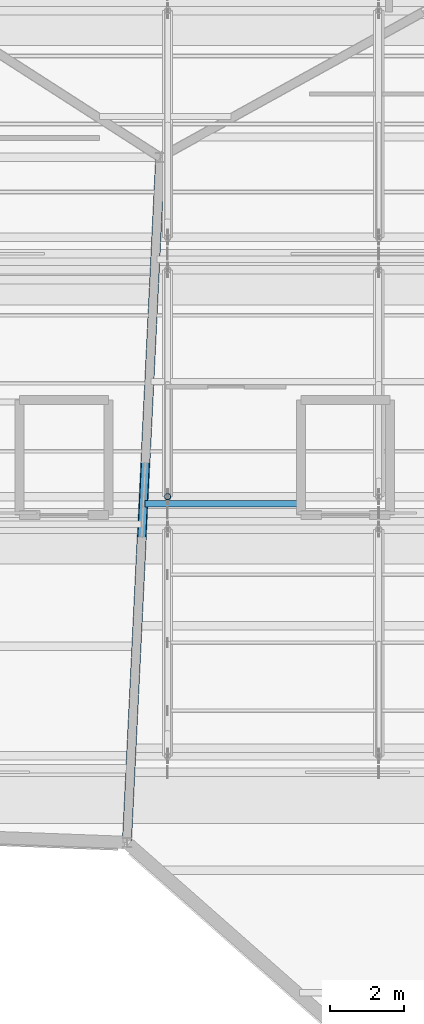
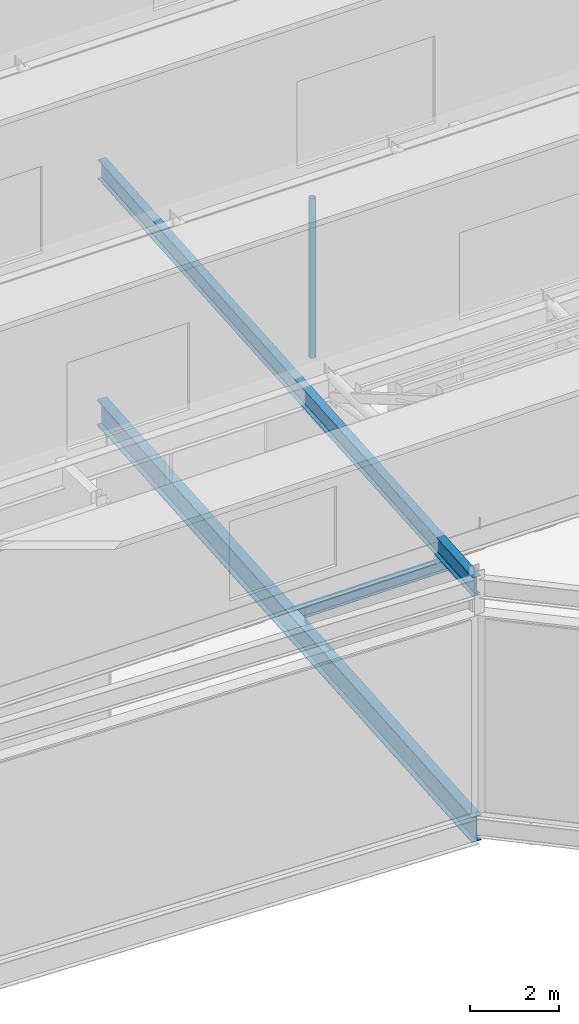
# One storey, part 15 of 55: 3 beams, 1 member.
"""IFC4 building model written with IfcOpenShell, lengths in metres."""

from ifc_helpers import new_model, si_unit, direction, frame, origin, origin_2d, place, context, subcontext, project, spatial, hollow_circle, i_section, extrude, material, material_profile, profile_set, type_object, element, save


model = new_model("IFC4")

# Units and contexts
model_context = context("Model", 3, precision=1e-05, world=origin(), true_north=direction((0.0, 1.0)))
body_context = subcontext(model_context, "Body", "Model", "MODEL_VIEW")
ifc_project = project(units=[si_unit("LENGTHUNIT", "METRE"), si_unit("AREAUNIT", "SQUARE_METRE"), si_unit("VOLUMEUNIT", "CUBIC_METRE"), si_unit("PLANEANGLEUNIT", "RADIAN"), si_unit("MASSUNIT", "GRAM", prefix="KILO")], contexts=[model_context])

# Site, building, storey
site_placement = place(None, origin())
site = spatial("IfcSite", under=ifc_project, at=site_placement, CompositionType="ELEMENT")
building_placement = place(site_placement, origin())
building = spatial("IfcBuilding", under=site, at=building_placement, Name="Tameran Prism Museum", CompositionType="ELEMENT")
storey_placement = place(building_placement, frame((0.0, 0.0, 28.800048828125)))
storey = spatial("IfcBuildingStorey", under=building, at=storey_placement, Name="L05", CompositionType="ELEMENT", Elevation=28.800048828125)

# Beams
ifc_material_1 = material(Name="Steel Grade 300PLUS (300 MPa)", Category="steel")
ifc_material_profile_1 = material_profile(ifc_material_1, i_section(OverallWidth=0.166015625, OverallDepth=0.306884765625, WebThickness=0.006591796875, FlangeThickness=0.01171875, FilletRadius=0.011474609375, at=origin_2d()))
ifc_profile_set_1 = profile_set([ifc_material_profile_1])
beam_type_1 = type_object("IfcBeamType", Name="BM-J310A", PredefinedType="JOIST", material=ifc_profile_set_1)
beam_1_placement = place(storey_placement, frame((118.385009765625, 79.75, -0.3935546875), z_axis=(1.0, 0.0, 0.0), x_axis=(0.0, 1.0, 0.0)))
element("IfcBeam", 1, at=beam_1_placement, inside=storey, type_object=beam_type_1, Name="Floor Beam BM-1297", PredefinedType="JOIST", context=body_context, shape_type="SweptSolid", body=[
    extrude(i_section(OverallWidth=0.166015625, OverallDepth=0.306884765625, WebThickness=0.006591796875, FlangeThickness=0.01171875, FilletRadius=0.011474609375, at=origin_2d()), origin(), (0.0, 0.0, 1.0), 4.235107421875),
])
ifc_material_2 = material(Name="Steel Grade 300PLUS (300 MPa)", Category="steel")
ifc_material_profile_2 = material_profile(ifc_material_2, i_section(OverallWidth=0.208984375, OverallDepth=0.528076171875, WebThickness=0.009521484375, FlangeThickness=0.01318359375, FilletRadius=0.013916015625, at=origin_2d()))
ifc_profile_set_2 = profile_set([ifc_material_profile_2])
beam_type_2 = type_object("IfcBeamType", Name="BM-SP530B", PredefinedType="SPANDREL", material=ifc_profile_set_2)
beam_2_placement = place(storey_placement, frame((117.89990234375, 70.60009765625, 6.10595703125), z_axis=(0.048599072515, 0.998818366947, 0.0), x_axis=(-0.998818366947, 0.048599072515, 0.0)))
element("IfcBeam", 2, at=beam_2_placement, inside=storey, type_object=beam_type_2, Name="Roof Ring Beam RB-1247", PredefinedType="SPANDREL", context=body_context, shape_type="SweptSolid", body=[
    extrude(i_section(OverallWidth=0.208984375, OverallDepth=0.528076171875, WebThickness=0.009521484375, FlangeThickness=0.01318359375, FilletRadius=0.013916015625, at=origin_2d()), origin(), (0.0, 0.0, 1.0), 18.52197265625),
])
ifc_material_3 = material(Name="Steel Grade 350 (350 MPa)", Category="steel")
ifc_material_profile_3 = material_profile(ifc_material_3, i_section(OverallWidth=0.25, OverallDepth=0.699951171875, WebThickness=0.010009765625, FlangeThickness=0.02001953125, at=origin_2d()))
ifc_profile_set_3 = profile_set([ifc_material_profile_3])
beam_type_3 = type_object("IfcBeamType", Name="BM-SP700", PredefinedType="SPANDREL", material=ifc_profile_set_3)
beam_3_placement = place(storey_placement, frame((117.89990234375, 70.60009765625, -0.590087890625), z_axis=(0.048599072515, 0.998818366947, 0.0), x_axis=(-0.998818366947, 0.048599072515, 0.0)))
element("IfcBeam", 3, at=beam_3_placement, inside=storey, type_object=beam_type_3, Name="Perimeter Spandrel SP-1242", PredefinedType="SPANDREL", context=body_context, shape_type="SweptSolid", body=[
    extrude(i_section(OverallWidth=0.25, OverallDepth=0.699951171875, WebThickness=0.010009765625, FlangeThickness=0.02001953125, at=origin_2d()), origin(), (0.0, 0.0, 1.0), 18.52197265625),
])

# Member
ifc_material_4 = material(Name="Steel Grade C350L0 (350 MPa)", Category="steel")
ifc_material_profile_4 = material_profile(ifc_material_4, hollow_circle(Radius=0.084228515625, WallThickness=0.007080078125, at=origin_2d()))
ifc_profile_set_4 = profile_set([ifc_material_profile_4])
member_type = type_object("IfcMemberType", Name="MM-BR-CHS168", PredefinedType="BRACE", material=ifc_profile_set_4)
member_placement = place(storey_placement, frame((119.0, 79.93994140625, 6.385986328125), z_axis=(0.0, 0.0, 1.0), x_axis=(1.0, 0.0, 0.0)))
element("IfcMember", 4, at=member_placement, inside=storey, type_object=member_type, Name="Sawtooth Brace STM-0052", PredefinedType="BRACE", context=body_context, shape_type="SweptSolid", body=[
    extrude(hollow_circle(Radius=0.084228515625, WallThickness=0.007080078125, at=origin_2d()), origin(), (0.0, 0.0, 1.0), 4.40185546875),
])

save(model, "model.ifc")
